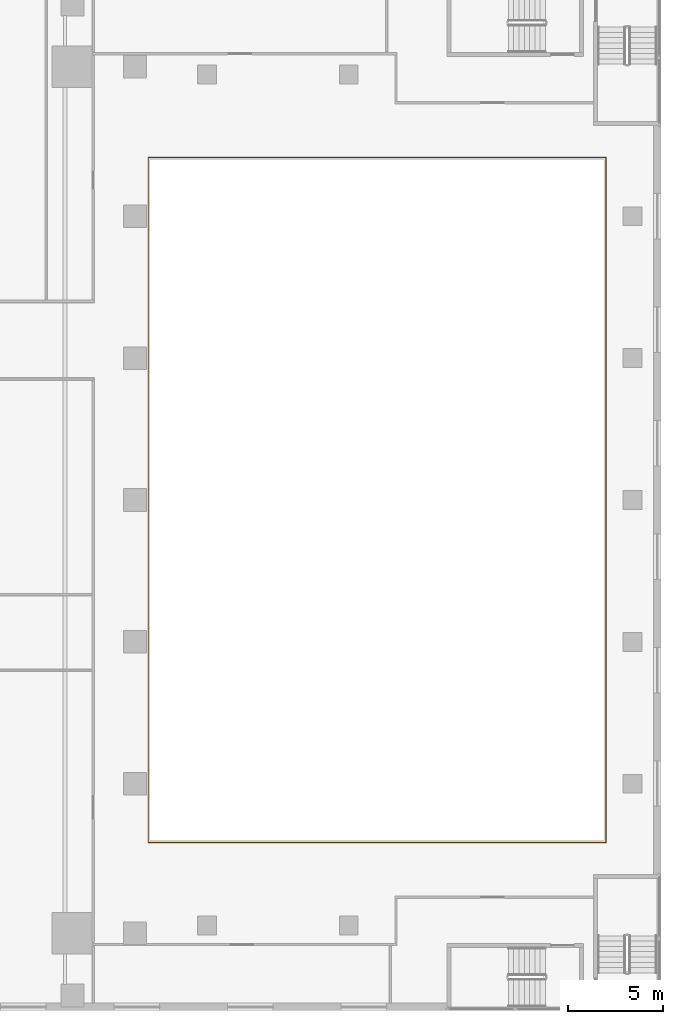
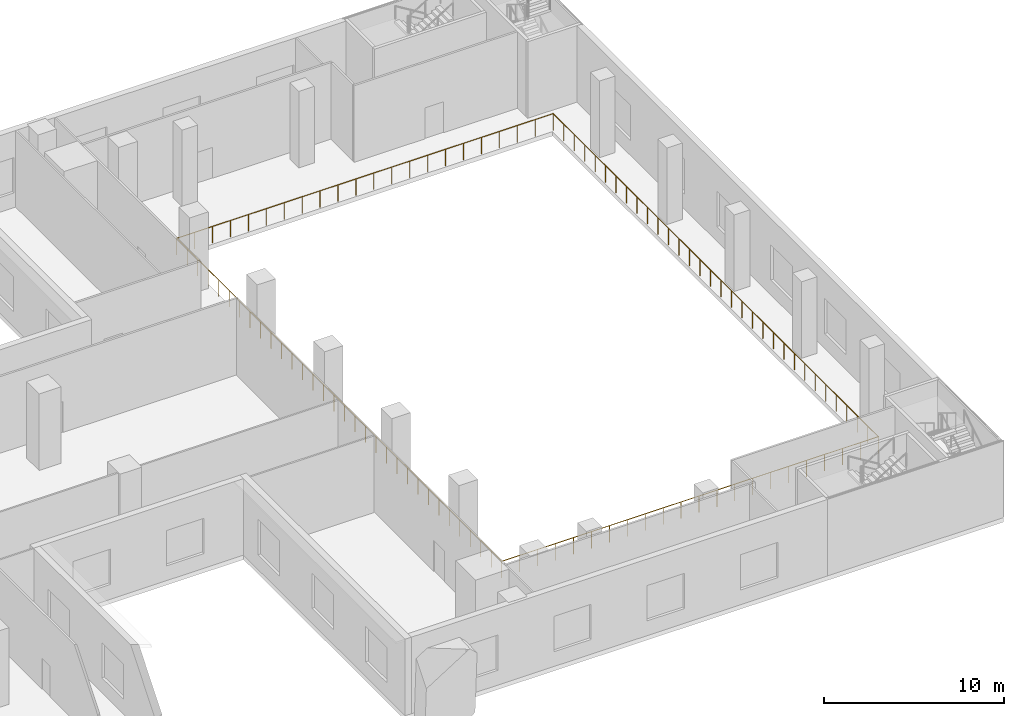
# One storey, part 22 of 23: 1 railing.
"""IFC4 building model written with IfcOpenShell, lengths in metres."""

from ifc_helpers import new_model, si_unit, direction, frame, origin, origin_2d, place, context, subcontext, project, spatial, circle, extrude, source, transform, mapped, material, type_object, element, save


model = new_model("IFC4")

# Units and contexts
model_context = context("Model", 3, precision=1e-05, world=origin(), true_north=direction((0.0, 1.0)))
body_context = subcontext(model_context, "Body", "Model", "MODEL_VIEW")
ifc_project = project(units=[si_unit("LENGTHUNIT", "METRE"), si_unit("AREAUNIT", "SQUARE_METRE"), si_unit("VOLUMEUNIT", "CUBIC_METRE"), si_unit("PLANEANGLEUNIT", "RADIAN"), si_unit("MASSUNIT", "GRAM", prefix="KILO")], contexts=[model_context])

# Site, building, storey
site_placement = place(None, origin())
site = spatial("IfcSite", under=ifc_project, at=site_placement, CompositionType="ELEMENT")
building_placement = place(site_placement, origin())
building = spatial("IfcBuilding", under=site, at=building_placement, Name="Khomas Fold Tower", CompositionType="ELEMENT")
storey_placement = place(building_placement, frame((0.0, 0.0, 7.5)))
storey = spatial("IfcBuildingStorey", under=building, at=storey_placement, Name="L01", CompositionType="ELEMENT", Elevation=7.5)

# Railing
ifc_material = material(Name="Powder-coated steel", Category="steel")
railing_type = type_object("IfcRailingType", Name="Balcony guard", PredefinedType="GUARDRAIL", material=ifc_material)
shared_shape = source(origin(), body_context, "Body", "SweptSolid", [
    extrude(circle(Radius=0.02490234375, at=origin_2d()), frame((-0.02490234375, 0.0, 1.125), z_axis=(1.0, 0.0, 0.0), x_axis=(0.0, 1.0, 0.0)), (0.0, 0.0, 1.0), 24.250244140625),
    extrude(circle(Radius=0.02490234375, at=origin_2d()), frame((24.2001953125, -0.02490234375, 1.125), z_axis=(0.0, 1.0, 0.0), x_axis=(-1.0, 0.0, 0.0)), (0.0, 0.0, 1.0), 36.250244140625),
    extrude(circle(Radius=0.02490234375, at=origin_2d()), frame((24.22509765625, 36.2001953125, 1.125), z_axis=(-1.0, 0.0, 0.0), x_axis=(0.0, -1.0, 0.0)), (0.0, 0.0, 1.0), 24.250244140625),
    extrude(circle(Radius=0.02490234375, at=origin_2d()), frame((0.0, 36.22509765625, 1.125), z_axis=(0.0, -1.0, 0.0), x_axis=(1.0, 0.0, 0.0)), (0.0, 0.0, 1.0), 36.250244140625),
    extrude(circle(Radius=0.02001953125, at=origin_2d()), origin(), (0.0, 0.0, 1.0), 1.099853515625),
    extrude(circle(Radius=0.02001953125, at=origin_2d()), frame((1.15234375, 0.0, 0.0)), (0.0, 0.0, 1.0), 1.099853515625),
    extrude(circle(Radius=0.02001953125, at=origin_2d()), frame((2.3046875, 0.0, 0.0)), (0.0, 0.0, 1.0), 1.099853515625),
    extrude(circle(Radius=0.02001953125, at=origin_2d()), frame((3.457275390625, 0.0, 0.0)), (0.0, 0.0, 1.0), 1.099853515625),
    extrude(circle(Radius=0.02001953125, at=origin_2d()), frame((4.609619140625, 0.0, 0.0)), (0.0, 0.0, 1.0), 1.099853515625),
    extrude(circle(Radius=0.02001953125, at=origin_2d()), frame((5.761962890625, 0.0, 0.0)), (0.0, 0.0, 1.0), 1.099853515625),
    extrude(circle(Radius=0.02001953125, at=origin_2d()), frame((6.914306640625, 0.0, 0.0)), (0.0, 0.0, 1.0), 1.099853515625),
    extrude(circle(Radius=0.02001953125, at=origin_2d()), frame((8.066650390625, 0.0, 0.0)), (0.0, 0.0, 1.0), 1.099853515625),
    extrude(circle(Radius=0.02001953125, at=origin_2d()), frame((9.21923828125, 0.0, 0.0)), (0.0, 0.0, 1.0), 1.099853515625),
    extrude(circle(Radius=0.02001953125, at=origin_2d()), frame((10.37158203125, 0.0, 0.0)), (0.0, 0.0, 1.0), 1.099853515625),
    extrude(circle(Radius=0.02001953125, at=origin_2d()), frame((11.52392578125, 0.0, 0.0)), (0.0, 0.0, 1.0), 1.099853515625),
    extrude(circle(Radius=0.02001953125, at=origin_2d()), frame((12.67626953125, 0.0, 0.0)), (0.0, 0.0, 1.0), 1.099853515625),
    extrude(circle(Radius=0.02001953125, at=origin_2d()), frame((13.82861328125, 0.0, 0.0)), (0.0, 0.0, 1.0), 1.099853515625),
    extrude(circle(Radius=0.02001953125, at=origin_2d()), frame((14.98095703125, 0.0, 0.0)), (0.0, 0.0, 1.0), 1.099853515625),
    extrude(circle(Radius=0.02001953125, at=origin_2d()), frame((16.133544921875, 0.0, 0.0)), (0.0, 0.0, 1.0), 1.099853515625),
    extrude(circle(Radius=0.02001953125, at=origin_2d()), frame((17.285888671875, 0.0, 0.0)), (0.0, 0.0, 1.0), 1.099853515625),
    extrude(circle(Radius=0.02001953125, at=origin_2d()), frame((18.438232421875, 0.0, 0.0)), (0.0, 0.0, 1.0), 1.099853515625),
    extrude(circle(Radius=0.02001953125, at=origin_2d()), frame((19.590576171875, 0.0, 0.0)), (0.0, 0.0, 1.0), 1.099853515625),
    extrude(circle(Radius=0.02001953125, at=origin_2d()), frame((20.742919921875, 0.0, 0.0)), (0.0, 0.0, 1.0), 1.099853515625),
    extrude(circle(Radius=0.02001953125, at=origin_2d()), frame((21.8955078125, 0.0, 0.0)), (0.0, 0.0, 1.0), 1.099853515625),
    extrude(circle(Radius=0.02001953125, at=origin_2d()), frame((23.0478515625, 0.0, 0.0)), (0.0, 0.0, 1.0), 1.099853515625),
    extrude(circle(Radius=0.02001953125, at=origin_2d()), frame((24.2001953125, 0.0, 0.0)), (0.0, 0.0, 1.0), 1.099853515625),
    extrude(circle(Radius=0.02001953125, at=origin_2d()), frame((24.2001953125, 1.167724609375, 0.0)), (0.0, 0.0, 1.0), 1.099853515625),
    extrude(circle(Radius=0.02001953125, at=origin_2d()), frame((24.2001953125, 2.33544921875, 0.0)), (0.0, 0.0, 1.0), 1.099853515625),
    extrude(circle(Radius=0.02001953125, at=origin_2d()), frame((24.2001953125, 3.503173828125, 0.0)), (0.0, 0.0, 1.0), 1.099853515625),
    extrude(circle(Radius=0.02001953125, at=origin_2d()), frame((24.2001953125, 4.6708984375, 0.0)), (0.0, 0.0, 1.0), 1.099853515625),
    extrude(circle(Radius=0.02001953125, at=origin_2d()), frame((24.2001953125, 5.838623046875, 0.0)), (0.0, 0.0, 1.0), 1.099853515625),
    extrude(circle(Radius=0.02001953125, at=origin_2d()), frame((24.2001953125, 7.006591796875, 0.0)), (0.0, 0.0, 1.0), 1.099853515625),
    extrude(circle(Radius=0.02001953125, at=origin_2d()), frame((24.2001953125, 8.17431640625, 0.0)), (0.0, 0.0, 1.0), 1.099853515625),
    extrude(circle(Radius=0.02001953125, at=origin_2d()), frame((24.2001953125, 9.342041015625, 0.0)), (0.0, 0.0, 1.0), 1.099853515625),
    extrude(circle(Radius=0.02001953125, at=origin_2d()), frame((24.2001953125, 10.509765625, 0.0)), (0.0, 0.0, 1.0), 1.099853515625),
    extrude(circle(Radius=0.02001953125, at=origin_2d()), frame((24.2001953125, 11.677490234375, 0.0)), (0.0, 0.0, 1.0), 1.099853515625),
    extrude(circle(Radius=0.02001953125, at=origin_2d()), frame((24.2001953125, 12.84521484375, 0.0)), (0.0, 0.0, 1.0), 1.099853515625),
    extrude(circle(Radius=0.02001953125, at=origin_2d()), frame((24.2001953125, 14.012939453125, 0.0)), (0.0, 0.0, 1.0), 1.099853515625),
    extrude(circle(Radius=0.02001953125, at=origin_2d()), frame((24.2001953125, 15.1806640625, 0.0)), (0.0, 0.0, 1.0), 1.099853515625),
    extrude(circle(Radius=0.02001953125, at=origin_2d()), frame((24.2001953125, 16.348388671875, 0.0)), (0.0, 0.0, 1.0), 1.099853515625),
    extrude(circle(Radius=0.02001953125, at=origin_2d()), frame((24.2001953125, 17.51611328125, 0.0)), (0.0, 0.0, 1.0), 1.099853515625),
    extrude(circle(Radius=0.02001953125, at=origin_2d()), frame((24.2001953125, 18.68408203125, 0.0)), (0.0, 0.0, 1.0), 1.099853515625),
    extrude(circle(Radius=0.02001953125, at=origin_2d()), frame((24.2001953125, 19.851806640625, 0.0)), (0.0, 0.0, 1.0), 1.099853515625),
    extrude(circle(Radius=0.02001953125, at=origin_2d()), frame((24.2001953125, 21.01953125, 0.0)), (0.0, 0.0, 1.0), 1.099853515625),
    extrude(circle(Radius=0.02001953125, at=origin_2d()), frame((24.2001953125, 22.187255859375, 0.0)), (0.0, 0.0, 1.0), 1.099853515625),
    extrude(circle(Radius=0.02001953125, at=origin_2d()), frame((24.2001953125, 23.35498046875, 0.0)), (0.0, 0.0, 1.0), 1.099853515625),
    extrude(circle(Radius=0.02001953125, at=origin_2d()), frame((24.2001953125, 24.522705078125, 0.0)), (0.0, 0.0, 1.0), 1.099853515625),
    extrude(circle(Radius=0.02001953125, at=origin_2d()), frame((24.2001953125, 25.6904296875, 0.0)), (0.0, 0.0, 1.0), 1.099853515625),
    extrude(circle(Radius=0.02001953125, at=origin_2d()), frame((24.2001953125, 26.858154296875, 0.0)), (0.0, 0.0, 1.0), 1.099853515625),
    extrude(circle(Radius=0.02001953125, at=origin_2d()), frame((24.2001953125, 28.02587890625, 0.0)), (0.0, 0.0, 1.0), 1.099853515625),
    extrude(circle(Radius=0.02001953125, at=origin_2d()), frame((24.2001953125, 29.193603515625, 0.0)), (0.0, 0.0, 1.0), 1.099853515625),
    extrude(circle(Radius=0.02001953125, at=origin_2d()), frame((24.2001953125, 30.361572265625, 0.0)), (0.0, 0.0, 1.0), 1.099853515625),
    extrude(circle(Radius=0.02001953125, at=origin_2d()), frame((24.2001953125, 31.529296875, 0.0)), (0.0, 0.0, 1.0), 1.099853515625),
    extrude(circle(Radius=0.02001953125, at=origin_2d()), frame((24.2001953125, 32.697021484375, 0.0)), (0.0, 0.0, 1.0), 1.099853515625),
    extrude(circle(Radius=0.02001953125, at=origin_2d()), frame((24.2001953125, 33.86474609375, 0.0)), (0.0, 0.0, 1.0), 1.099853515625),
    extrude(circle(Radius=0.02001953125, at=origin_2d()), frame((24.2001953125, 35.032470703125, 0.0)), (0.0, 0.0, 1.0), 1.099853515625),
    extrude(circle(Radius=0.02001953125, at=origin_2d()), frame((24.2001953125, 36.2001953125, 0.0)), (0.0, 0.0, 1.0), 1.099853515625),
    extrude(circle(Radius=0.02001953125, at=origin_2d()), frame((23.0478515625, 36.2001953125, 0.0)), (0.0, 0.0, 1.0), 1.099853515625),
    extrude(circle(Radius=0.02001953125, at=origin_2d()), frame((21.8955078125, 36.2001953125, 0.0)), (0.0, 0.0, 1.0), 1.099853515625),
    extrude(circle(Radius=0.02001953125, at=origin_2d()), frame((20.742919921875, 36.2001953125, 0.0)), (0.0, 0.0, 1.0), 1.099853515625),
    extrude(circle(Radius=0.02001953125, at=origin_2d()), frame((19.590576171875, 36.2001953125, 0.0)), (0.0, 0.0, 1.0), 1.099853515625),
    extrude(circle(Radius=0.02001953125, at=origin_2d()), frame((18.438232421875, 36.2001953125, 0.0)), (0.0, 0.0, 1.0), 1.099853515625),
    extrude(circle(Radius=0.02001953125, at=origin_2d()), frame((17.285888671875, 36.2001953125, 0.0)), (0.0, 0.0, 1.0), 1.099853515625),
    extrude(circle(Radius=0.02001953125, at=origin_2d()), frame((16.133544921875, 36.2001953125, 0.0)), (0.0, 0.0, 1.0), 1.099853515625),
    extrude(circle(Radius=0.02001953125, at=origin_2d()), frame((14.98095703125, 36.2001953125, 0.0)), (0.0, 0.0, 1.0), 1.099853515625),
    extrude(circle(Radius=0.02001953125, at=origin_2d()), frame((13.82861328125, 36.2001953125, 0.0)), (0.0, 0.0, 1.0), 1.099853515625),
    extrude(circle(Radius=0.02001953125, at=origin_2d()), frame((12.67626953125, 36.2001953125, 0.0)), (0.0, 0.0, 1.0), 1.099853515625),
    extrude(circle(Radius=0.02001953125, at=origin_2d()), frame((11.52392578125, 36.2001953125, 0.0)), (0.0, 0.0, 1.0), 1.099853515625),
    extrude(circle(Radius=0.02001953125, at=origin_2d()), frame((10.37158203125, 36.2001953125, 0.0)), (0.0, 0.0, 1.0), 1.099853515625),
    extrude(circle(Radius=0.02001953125, at=origin_2d()), frame((9.21923828125, 36.2001953125, 0.0)), (0.0, 0.0, 1.0), 1.099853515625),
    extrude(circle(Radius=0.02001953125, at=origin_2d()), frame((8.066650390625, 36.2001953125, 0.0)), (0.0, 0.0, 1.0), 1.099853515625),
    extrude(circle(Radius=0.02001953125, at=origin_2d()), frame((6.914306640625, 36.2001953125, 0.0)), (0.0, 0.0, 1.0), 1.099853515625),
    extrude(circle(Radius=0.02001953125, at=origin_2d()), frame((5.761962890625, 36.2001953125, 0.0)), (0.0, 0.0, 1.0), 1.099853515625),
    extrude(circle(Radius=0.02001953125, at=origin_2d()), frame((4.609619140625, 36.2001953125, 0.0)), (0.0, 0.0, 1.0), 1.099853515625),
    extrude(circle(Radius=0.02001953125, at=origin_2d()), frame((3.457275390625, 36.2001953125, 0.0)), (0.0, 0.0, 1.0), 1.099853515625),
    extrude(circle(Radius=0.02001953125, at=origin_2d()), frame((2.3046875, 36.2001953125, 0.0)), (0.0, 0.0, 1.0), 1.099853515625),
    extrude(circle(Radius=0.02001953125, at=origin_2d()), frame((1.15234375, 36.2001953125, 0.0)), (0.0, 0.0, 1.0), 1.099853515625),
    extrude(circle(Radius=0.02001953125, at=origin_2d()), frame((0.0, 36.2001953125, 0.0)), (0.0, 0.0, 1.0), 1.099853515625),
    extrude(circle(Radius=0.02001953125, at=origin_2d()), frame((0.0, 35.032470703125, 0.0)), (0.0, 0.0, 1.0), 1.099853515625),
    extrude(circle(Radius=0.02001953125, at=origin_2d()), frame((0.0, 33.86474609375, 0.0)), (0.0, 0.0, 1.0), 1.099853515625),
    extrude(circle(Radius=0.02001953125, at=origin_2d()), frame((0.0, 32.697021484375, 0.0)), (0.0, 0.0, 1.0), 1.099853515625),
    extrude(circle(Radius=0.02001953125, at=origin_2d()), frame((0.0, 31.529296875, 0.0)), (0.0, 0.0, 1.0), 1.099853515625),
    extrude(circle(Radius=0.02001953125, at=origin_2d()), frame((0.0, 30.361572265625, 0.0)), (0.0, 0.0, 1.0), 1.099853515625),
    extrude(circle(Radius=0.02001953125, at=origin_2d()), frame((0.0, 29.193603515625, 0.0)), (0.0, 0.0, 1.0), 1.099853515625),
    extrude(circle(Radius=0.02001953125, at=origin_2d()), frame((0.0, 28.02587890625, 0.0)), (0.0, 0.0, 1.0), 1.099853515625),
    extrude(circle(Radius=0.02001953125, at=origin_2d()), frame((0.0, 26.858154296875, 0.0)), (0.0, 0.0, 1.0), 1.099853515625),
    extrude(circle(Radius=0.02001953125, at=origin_2d()), frame((0.0, 25.6904296875, 0.0)), (0.0, 0.0, 1.0), 1.099853515625),
    extrude(circle(Radius=0.02001953125, at=origin_2d()), frame((0.0, 24.522705078125, 0.0)), (0.0, 0.0, 1.0), 1.099853515625),
    extrude(circle(Radius=0.02001953125, at=origin_2d()), frame((0.0, 23.35498046875, 0.0)), (0.0, 0.0, 1.0), 1.099853515625),
    extrude(circle(Radius=0.02001953125, at=origin_2d()), frame((0.0, 22.187255859375, 0.0)), (0.0, 0.0, 1.0), 1.099853515625),
    extrude(circle(Radius=0.02001953125, at=origin_2d()), frame((0.0, 21.01953125, 0.0)), (0.0, 0.0, 1.0), 1.099853515625),
    extrude(circle(Radius=0.02001953125, at=origin_2d()), frame((0.0, 19.851806640625, 0.0)), (0.0, 0.0, 1.0), 1.099853515625),
    extrude(circle(Radius=0.02001953125, at=origin_2d()), frame((0.0, 18.68408203125, 0.0)), (0.0, 0.0, 1.0), 1.099853515625),
    extrude(circle(Radius=0.02001953125, at=origin_2d()), frame((0.0, 17.51611328125, 0.0)), (0.0, 0.0, 1.0), 1.099853515625),
    extrude(circle(Radius=0.02001953125, at=origin_2d()), frame((0.0, 16.348388671875, 0.0)), (0.0, 0.0, 1.0), 1.099853515625),
    extrude(circle(Radius=0.02001953125, at=origin_2d()), frame((0.0, 15.1806640625, 0.0)), (0.0, 0.0, 1.0), 1.099853515625),
    extrude(circle(Radius=0.02001953125, at=origin_2d()), frame((0.0, 14.012939453125, 0.0)), (0.0, 0.0, 1.0), 1.099853515625),
    extrude(circle(Radius=0.02001953125, at=origin_2d()), frame((0.0, 12.84521484375, 0.0)), (0.0, 0.0, 1.0), 1.099853515625),
    extrude(circle(Radius=0.02001953125, at=origin_2d()), frame((0.0, 11.677490234375, 0.0)), (0.0, 0.0, 1.0), 1.099853515625),
    extrude(circle(Radius=0.02001953125, at=origin_2d()), frame((0.0, 10.509765625, 0.0)), (0.0, 0.0, 1.0), 1.099853515625),
    extrude(circle(Radius=0.02001953125, at=origin_2d()), frame((0.0, 9.342041015625, 0.0)), (0.0, 0.0, 1.0), 1.099853515625),
    extrude(circle(Radius=0.02001953125, at=origin_2d()), frame((0.0, 8.17431640625, 0.0)), (0.0, 0.0, 1.0), 1.099853515625),
    extrude(circle(Radius=0.02001953125, at=origin_2d()), frame((0.0, 7.006591796875, 0.0)), (0.0, 0.0, 1.0), 1.099853515625),
    extrude(circle(Radius=0.02001953125, at=origin_2d()), frame((0.0, 5.838623046875, 0.0)), (0.0, 0.0, 1.0), 1.099853515625),
    extrude(circle(Radius=0.02001953125, at=origin_2d()), frame((0.0, 4.6708984375, 0.0)), (0.0, 0.0, 1.0), 1.099853515625),
    extrude(circle(Radius=0.02001953125, at=origin_2d()), frame((0.0, 3.503173828125, 0.0)), (0.0, 0.0, 1.0), 1.099853515625),
    extrude(circle(Radius=0.02001953125, at=origin_2d()), frame((0.0, 2.33544921875, 0.0)), (0.0, 0.0, 1.0), 1.099853515625),
    extrude(circle(Radius=0.02001953125, at=origin_2d()), frame((0.0, 1.167724609375, 0.0)), (0.0, 0.0, 1.0), 1.099853515625),
])
railing_placement = place(storey_placement, frame((53.89990234375, 8.89990234375, 0.0)))
element("IfcRailing", 1, at=railing_placement, inside=storey, type_object=railing_type, Name="GUARD 202", PredefinedType="GUARDRAIL", context=body_context, shape_type="MappedRepresentation", body=[
    mapped(shared_shape, transform((0.0, 0.0, 0.0))),
])

save(model, "model.ifc")
